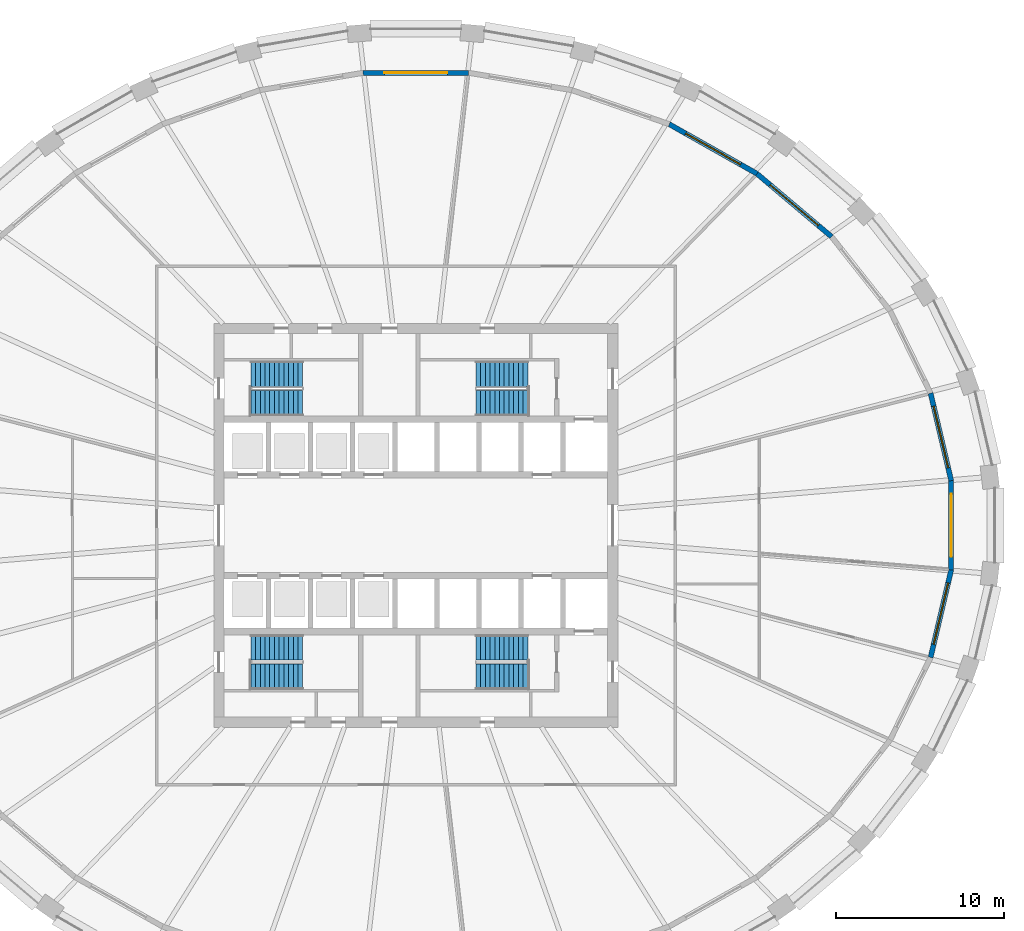
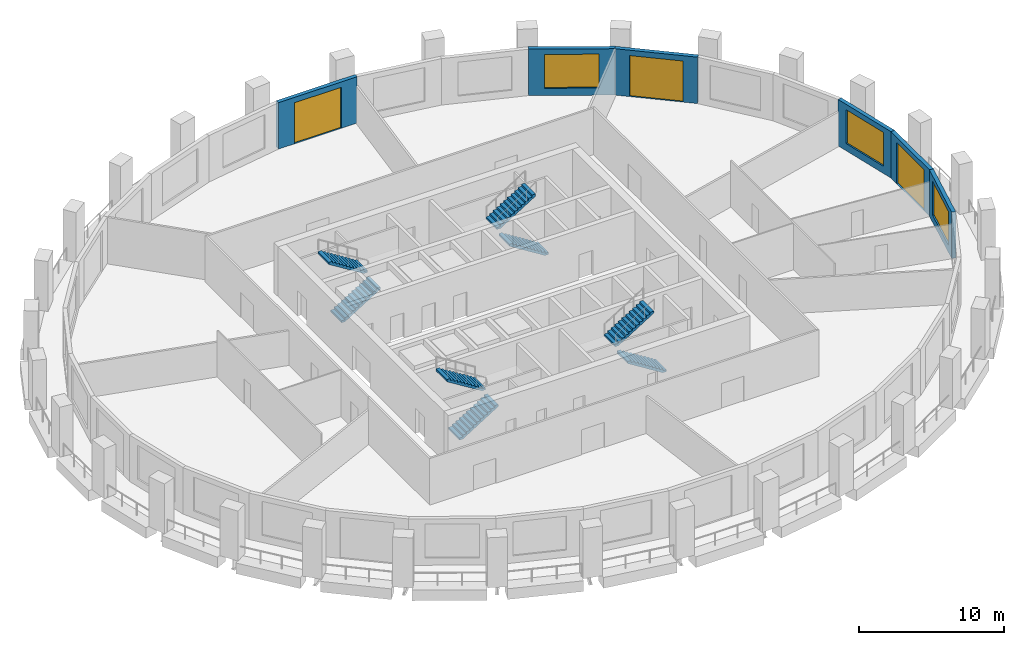
# One storey, part 7 of 10: 8 stair flights, 6 walls, 3 doors, 3 windows, 6 openings, 4 elements without a shape of their own.
"""IFC4 building model written with IfcOpenShell, lengths in metres."""

from ifc_helpers import new_model, si_unit, direction, frame, frame_2d, origin, place, context, subcontext, project, spatial, polyline, rectangle, outline, extrude, material, layer, layer_set, type_object, element, fill, aggregate, save


model = new_model("IFC4")

# Units and contexts
model_context = context("Model", 3, precision=1e-05, world=origin(), true_north=direction((0.0, 1.0)))
body_context = subcontext(model_context, "Body", "Model", "MODEL_VIEW")
ifc_project = project(units=[si_unit("LENGTHUNIT", "METRE"), si_unit("AREAUNIT", "SQUARE_METRE"), si_unit("VOLUMEUNIT", "CUBIC_METRE"), si_unit("PLANEANGLEUNIT", "RADIAN"), si_unit("MASSUNIT", "GRAM", prefix="KILO")], contexts=[model_context])

# Site, building, storey
site_placement = place(None, origin())
site = spatial("IfcSite", under=ifc_project, at=site_placement, CompositionType="ELEMENT")
building_placement = place(site_placement, origin())
building = spatial("IfcBuilding", under=site, at=building_placement, Name="Halqa Exchange Tower", CompositionType="ELEMENT")
storey_placement = place(building_placement, frame((0.0, 0.0, 138.10009765625)))
storey = spatial("IfcBuildingStorey", under=building, at=storey_placement, Name="L31", CompositionType="ELEMENT", Elevation=138.10009765625)

# Wall, opening, window
ifc_material_1 = material(Name="Limestone cladding", Category="masonry")
ifc_layer_1 = layer(ifc_material_1, 0.0400390625)
ifc_material_2 = material(Name="Ventilated cavity")
ifc_layer_2 = layer(ifc_material_2, 0.030029296875, ventilated=True)
ifc_material_3 = material(Name="Mineral wool insulation")
ifc_layer_3 = layer(ifc_material_3, 0.10009765625)
ifc_material_4 = material(Name="Concrete C30/37", Category="concrete")
ifc_layer_4 = layer(ifc_material_4, 0.10009765625)
ifc_material_5 = material(Name="Internal plaster")
ifc_layer_5 = layer(ifc_material_5, 0.030029296875)
ifc_layer_set = layer_set([ifc_layer_1, ifc_layer_2, ifc_layer_3, ifc_layer_4, ifc_layer_5], Name="Stone-faced insulated wall 300")
wall_type = type_object("IfcWallType", Name="Stone-faced insulated wall 300", PredefinedType="STANDARD", material=ifc_layer_set)
wall_1_placement = place(storey_placement, frame((31.802001953125, 2.650390625, 0.0), z_axis=(0.0, 0.0, 1.0), x_axis=(-0.229227895667, 0.973372781543, 0.0)))
wall_1 = element("IfcWall", 1, at=wall_1_placement, inside=storey, type_object=wall_type, Name="Glass-line wall 1", PredefinedType="STANDARD", context=body_context, shape_type="SweptSolid", body=[
    extrude(outline(polyline([(-0.017333984375, -0.14990234375), (5.35693359375, -0.14990234375), (5.3232421875, 0.14990234375), (0.017333984375, 0.14990234375), (-0.017333984375, -0.14990234375)])), origin(), (0.0, 0.0, 1.0), 3.89990234375),
])
opening_1_placement = place(wall_1_placement, frame((0.795166015625, 0.0, 0.60009765625)))
opening_1 = element("IfcOpeningElement", 2, at=opening_1_placement, cuts=wall_1, Name="Opening W-F2-01", PredefinedType="OPENING", context=body_context, shape_type="SweptSolid", body=[
    extrude(rectangle(XDim=3.75, YDim=2.85009765625, at=frame_2d((1.875, 1.425048828125))), frame((0.0, 0.162109375, 0.0), z_axis=(0.0, -1.0, 0.0), x_axis=(1.0, 0.0, 0.0)), (0.0, 0.0, 1.0), 0.323974609375),
])
ifc_material_6 = material(Name="Clear low-emissivity glass in aluminium frame", Category="aluminium")
window_type = type_object("IfcWindowType", Name="Fixed clear glazed window 3750 x 2850", PartitioningType="TRIPLE_PANEL_VERTICAL", PredefinedType="WINDOW", material=ifc_material_6)
window_1_placement = place(opening_1_placement, origin())
window_1 = element("IfcWindow", 3, at=window_1_placement, inside=storey, type_object=window_type, Name="Window 2", OverallHeight=2.85009765625, OverallWidth=3.75, PartitioningType="TRIPLE_PANEL_VERTICAL", PredefinedType="WINDOW", context=body_context, shape_type="SweptSolid", body=[
    extrude(rectangle(XDim=3.75, YDim=2.85009765625, at=frame_2d((1.875, 1.425048828125))), frame((0.0, 0.030029296875, 0.0), z_axis=(0.0, -1.0, 0.0), x_axis=(1.0, 0.0, 0.0)), (0.0, 0.0, 1.0), 0.06005859375),
])
fill(opening_1, window_1)

# Wall, opening, door
wall_2_placement = place(storey_placement, frame((24.694091796875, 17.145751953125, 0.0), z_axis=(0.0, 0.0, 1.0), x_axis=(-0.763963973896, 0.645258898884, 0.0)))
wall_2 = element("IfcWall", 4, at=wall_2_placement, inside=storey, type_object=wall_type, Name="Glass-line wall 4", PredefinedType="STANDARD", context=body_context, shape_type="SweptSolid", body=[
    extrude(outline(polyline([(-0.01513671875, -0.14990234375), (5.81396484375, -0.14990234375), (5.78564453125, 0.14990234375), (0.01513671875, 0.14990234375), (-0.01513671875, -0.14990234375)])), origin(), (0.0, 0.0, 1.0), 3.89990234375),
])
opening_2_placement = place(wall_2_placement, frame((1.02490234375, 0.0, 0.0)))
opening_2 = element("IfcOpeningElement", 5, at=opening_2_placement, cuts=wall_2, Name="Opening LG-F2-01", PredefinedType="OPENING", context=body_context, shape_type="SweptSolid", body=[
    extrude(rectangle(XDim=3.75, YDim=3.449951171875, at=frame_2d((1.875, 1.72509765625))), frame((0.0, 0.162109375, 0.0), z_axis=(0.0, -1.0, 0.0), x_axis=(1.0, 0.0, 0.0)), (0.0, 0.0, 1.0), 0.323974609375),
])
door_type = type_object("IfcDoorType", Name="Glazed sliding loggia door 3750 x 3450", OperationType="DOUBLE_DOOR_SLIDING", PredefinedType="DOOR", material=ifc_material_6)
door_1_placement = place(opening_2_placement, origin())
door_1 = element("IfcDoor", 6, at=door_1_placement, inside=storey, type_object=door_type, Name="Loggia door 1", OperationType="DOUBLE_DOOR_SLIDING", OverallHeight=3.449951171875, OverallWidth=3.75, PredefinedType="DOOR", context=body_context, shape_type="SweptSolid", body=[
    extrude(rectangle(XDim=3.75, YDim=3.449951171875, at=frame_2d((1.875, 1.72509765625))), frame((0.0, 0.02490234375, 0.0), z_axis=(0.0, -1.0, 0.0), x_axis=(1.0, 0.0, 0.0)), (0.0, 0.0, 1.0), 0.050048828125),
])
fill(opening_2, door_1)

# Wall, opening, window
wall_3_placement = place(storey_placement, frame((20.26318359375, 20.88818359375, 0.0), z_axis=(0.0, 0.0, 1.0), x_axis=(-0.87090857883, 0.491445060327, 0.0)))
wall_3 = element("IfcWall", 7, at=wall_3_placement, inside=storey, type_object=wall_type, Name="Glass-line wall 5", PredefinedType="STANDARD", context=body_context, shape_type="SweptSolid", body=[
    extrude(outline(polyline([(-0.01416015625, -0.14990234375), (5.99365234375, -0.14990234375), (5.966796875, 0.14990234375), (0.01416015625, 0.14990234375), (-0.01416015625, -0.14990234375)])), origin(), (0.0, 0.0, 1.0), 3.89990234375),
])
opening_3_placement = place(wall_3_placement, frame((1.114990234375, 0.0, 0.60009765625)))
opening_3 = element("IfcOpeningElement", 8, at=opening_3_placement, cuts=wall_3, Name="Opening W-F2-05", PredefinedType="OPENING", context=body_context, shape_type="SweptSolid", body=[
    extrude(rectangle(XDim=3.75, YDim=2.85009765625, at=frame_2d((1.875, 1.425048828125))), frame((0.0, 0.162109375, 0.0), z_axis=(0.0, -1.0, 0.0), x_axis=(1.0, 0.0, 0.0)), (0.0, 0.0, 1.0), 0.323974609375),
])
window_2_placement = place(opening_3_placement, origin())
window_2 = element("IfcWindow", 9, at=window_2_placement, inside=storey, type_object=window_type, Name="Window 2", OverallHeight=2.85009765625, OverallWidth=3.75, PartitioningType="TRIPLE_PANEL_VERTICAL", PredefinedType="WINDOW", context=body_context, shape_type="SweptSolid", body=[
    extrude(rectangle(XDim=3.75, YDim=2.85009765625, at=frame_2d((1.875, 1.425048828125))), frame((0.0, 0.030029296875, 0.0), z_axis=(0.0, -1.0, 0.0), x_axis=(1.0, 0.0, 0.0)), (0.0, 0.0, 1.0), 0.06005859375),
])
fill(opening_3, window_2)

# Wall, opening, door
wall_4_placement = place(storey_placement, frame((3.1298828125, 26.88232421875, 0.0), z_axis=(0.0, 0.0, 1.0), x_axis=(-1.0, 0.0, 0.0)))
wall_4 = element("IfcWall", 10, at=wall_4_placement, inside=storey, type_object=wall_type, Name="Glass-line wall 8", PredefinedType="STANDARD", context=body_context, shape_type="SweptSolid", body=[
    extrude(outline(polyline([(-0.012451171875, -0.14990234375), (6.272216796875, -0.14990234375), (6.247314453125, 0.14990234375), (0.012451171875, 0.14990234375), (-0.012451171875, -0.14990234375)])), origin(), (0.0, 0.0, 1.0), 3.89990234375),
])
opening_4_placement = place(wall_4_placement, frame((1.2548828125, 0.0, 0.0)))
opening_4 = element("IfcOpeningElement", 11, at=opening_4_placement, cuts=wall_4, Name="Opening LG-F2-02", PredefinedType="OPENING", context=body_context, shape_type="SweptSolid", body=[
    extrude(rectangle(XDim=3.75, YDim=3.449951171875, at=frame_2d((1.875, 1.72509765625))), frame((0.0, 0.162109375, 0.0), z_axis=(0.0, -1.0, 0.0), x_axis=(1.0, 0.0, 0.0)), (0.0, 0.0, 1.0), 0.323974609375),
])
door_2_placement = place(opening_4_placement, origin())
door_2 = element("IfcDoor", 12, at=door_2_placement, inside=storey, type_object=door_type, Name="Loggia door 2", OperationType="DOUBLE_DOOR_SLIDING", OverallHeight=3.449951171875, OverallWidth=3.75, PredefinedType="DOOR", context=body_context, shape_type="SweptSolid", body=[
    extrude(rectangle(XDim=3.75, YDim=3.449951171875, at=frame_2d((1.875, 1.72509765625))), frame((0.0, 0.02490234375, 0.0), z_axis=(0.0, -1.0, 0.0), x_axis=(1.0, 0.0, 0.0)), (0.0, 0.0, 1.0), 0.050048828125),
])
fill(opening_4, door_2)

# Wall, opening, window
wall_5_placement = place(storey_placement, frame((30.577880859375, -7.848388671875, 0.0), z_axis=(0.0, 0.0, 1.0), x_axis=(0.229227895667, 0.973372781543, 0.0)))
wall_5 = element("IfcWall", 13, at=wall_5_placement, inside=storey, type_object=wall_type, Name="Glass-line wall 31", PredefinedType="STANDARD", context=body_context, shape_type="SweptSolid", body=[
    extrude(outline(polyline([(-0.016845703125, -0.14990234375), (5.357421875, -0.14990234375), (5.32275390625, 0.14990234375), (0.016845703125, 0.14990234375), (-0.016845703125, -0.14990234375)])), origin(), (0.0, 0.0, 1.0), 3.89990234375),
])
opening_5_placement = place(wall_5_placement, frame((0.795166015625, 0.0, 0.60009765625)))
opening_5 = element("IfcOpeningElement", 14, at=opening_5_placement, cuts=wall_5, Name="Opening W-F2-31", PredefinedType="OPENING", context=body_context, shape_type="SweptSolid", body=[
    extrude(rectangle(XDim=3.75, YDim=2.85009765625, at=frame_2d((1.875, 1.425048828125))), frame((0.0, 0.162109375, 0.0), z_axis=(0.0, -1.0, 0.0), x_axis=(1.0, 0.0, 0.0)), (0.0, 0.0, 1.0), 0.323974609375),
])
window_3_placement = place(opening_5_placement, origin())
window_3 = element("IfcWindow", 15, at=window_3_placement, inside=storey, type_object=window_type, Name="Window 2", OverallHeight=2.85009765625, OverallWidth=3.75, PartitioningType="TRIPLE_PANEL_VERTICAL", PredefinedType="WINDOW", context=body_context, shape_type="SweptSolid", body=[
    extrude(rectangle(XDim=3.75, YDim=2.85009765625, at=frame_2d((1.875, 1.425048828125))), frame((0.0, 0.030029296875, 0.0), z_axis=(0.0, -1.0, 0.0), x_axis=(1.0, 0.0, 0.0)), (0.0, 0.0, 1.0), 0.06005859375),
])
fill(opening_5, window_3)

# Wall, opening, door
wall_6_placement = place(storey_placement, frame((31.802001953125, -2.650390625, 0.0), z_axis=(0.0, 0.0, 1.0), x_axis=(0.0, 1.0, 0.0)))
wall_6 = element("IfcWall", 16, at=wall_6_placement, inside=storey, type_object=wall_type, Name="Glass-line wall 32", PredefinedType="STANDARD", context=body_context, shape_type="SweptSolid", body=[
    extrude(outline(polyline([(-0.017333984375, -0.14990234375), (5.318115234375, -0.14990234375), (5.283447265625, 0.14990234375), (0.017333984375, 0.14990234375), (-0.017333984375, -0.14990234375)])), origin(), (0.0, 0.0, 1.0), 3.89990234375),
])
opening_6_placement = place(wall_6_placement, frame((0.775390625, 0.0, 0.0)))
opening_6 = element("IfcOpeningElement", 17, at=opening_6_placement, cuts=wall_6, Name="Opening LG-F2-08", PredefinedType="OPENING", context=body_context, shape_type="SweptSolid", body=[
    extrude(rectangle(XDim=3.75, YDim=3.449951171875, at=frame_2d((1.875, 1.72509765625))), frame((0.0, 0.162109375, 0.0), z_axis=(0.0, -1.0, 0.0), x_axis=(1.0, 0.0, 0.0)), (0.0, 0.0, 1.0), 0.323974609375),
])
door_3_placement = place(opening_6_placement, origin())
door_3 = element("IfcDoor", 18, at=door_3_placement, inside=storey, type_object=door_type, Name="Loggia door 8", OperationType="DOUBLE_DOOR_SLIDING", OverallHeight=3.449951171875, OverallWidth=3.75, PredefinedType="DOOR", context=body_context, shape_type="SweptSolid", body=[
    extrude(rectangle(XDim=3.75, YDim=3.449951171875, at=frame_2d((1.875, 1.72509765625))), frame((0.0, 0.02490234375, 0.0), z_axis=(0.0, -1.0, 0.0), x_axis=(1.0, 0.0, 0.0)), (0.0, 0.0, 1.0), 0.050048828125),
])
fill(opening_6, door_3)

# Stair, stair flights
stair_type = type_object("IfcStairType", Name="Exit stair 1500 wide", PredefinedType="HALF_TURN_STAIR", material=ifc_material_4)
stair_1_placement = place(storey_placement, origin())
stair_1 = element("IfcStair", 19, at=stair_1_placement, inside=storey, type_object=stair_type, Name="Exit stair ST1", PredefinedType="HALF_TURN_STAIR")
stair_flight_type = type_object("IfcStairFlightType", Name="Stair flight 1500 wide", PredefinedType="STRAIGHT", material=ifc_material_4)
stair_flight_1_placement = place(storey_placement, frame((-9.800048828125, 7.25, 0.0), z_axis=(0.0, 0.0, 1.0), x_axis=(1.0, 0.0, 0.0)))
stair_flight_1 = element("IfcStairFlight", 20, at=stair_flight_1_placement, type_object=stair_flight_type, Name="ST1 flight 1", NumberOfRisers=12, NumberOfTreads=11, PredefinedType="STRAIGHT", RiserHeight=0.175, TreadLength=0.28, context=body_context, shape_type="SweptSolid", body=[
    extrude(outline(polyline([(0.0, 0.0), (0.0, 0.175048828125), (0.280029296875, 0.175048828125), (0.280029296875, 0.35009765625), (0.56005859375, 0.35009765625), (0.56005859375, 0.52490234375), (0.840087890625, 0.52490234375), (0.840087890625, 0.699951171875), (1.1201171875, 0.699951171875), (1.1201171875, 0.875), (1.39990234375, 0.875), (1.39990234375, 1.050048828125), (1.679931640625, 1.050048828125), (1.679931640625, 1.22509765625), (1.9599609375, 1.22509765625), (1.9599609375, 1.39990234375), (2.239990234375, 1.39990234375), (2.239990234375, 1.574951171875), (2.52001953125, 1.574951171875), (2.52001953125, 1.75), (2.800048828125, 1.75), (2.800048828125, 1.925048828125), (3.080078125, 1.925048828125), (3.080078125, 2.10009765625), (3.080078125, 1.748291015625), (0.28271484375, 0.0), (0.0, 0.0)])), frame((0.0, 0.75, 0.0), z_axis=(0.0, -1.0, 0.0), x_axis=(1.0, 0.0, 0.0)), (0.0, 0.0, 1.0), 1.5),
])
stair_flight_2_placement = place(storey_placement, frame((-6.719970703125, 9.0, 2.099853515625), z_axis=(0.0, 0.0, 1.0), x_axis=(-1.0, 0.0, 0.0)))
stair_flight_2 = element("IfcStairFlight", 21, at=stair_flight_2_placement, type_object=stair_flight_type, Name="ST1 flight 2", NumberOfRisers=12, NumberOfTreads=11, PredefinedType="STRAIGHT", RiserHeight=0.175, TreadLength=0.28, context=body_context, shape_type="SweptSolid", body=[
    extrude(outline(polyline([(0.0, 0.0), (0.0, 0.175048828125), (0.280029296875, 0.175048828125), (0.280029296875, 0.35009765625), (0.56005859375, 0.35009765625), (0.56005859375, 0.52490234375), (0.840087890625, 0.52490234375), (0.840087890625, 0.699951171875), (1.1201171875, 0.699951171875), (1.1201171875, 0.875), (1.39990234375, 0.875), (1.39990234375, 1.050048828125), (1.679931640625, 1.050048828125), (1.679931640625, 1.22509765625), (1.9599609375, 1.22509765625), (1.9599609375, 1.39990234375), (2.239990234375, 1.39990234375), (2.239990234375, 1.574951171875), (2.52001953125, 1.574951171875), (2.52001953125, 1.75), (2.800048828125, 1.75), (2.800048828125, 1.925048828125), (3.080078125, 1.925048828125), (3.080078125, 2.10009765625), (3.080078125, 1.748291015625), (0.28271484375, 0.0), (0.0, 0.0)])), frame((0.0, 0.75, 0.0), z_axis=(0.0, -1.0, 0.0), x_axis=(1.0, 0.0, 0.0)), (0.0, 0.0, 1.0), 1.5),
])
aggregate(stair_1, [stair_flight_1, stair_flight_2])

stair_2_placement = place(storey_placement, origin())
stair_2 = element("IfcStair", 22, at=stair_2_placement, inside=storey, type_object=stair_type, Name="Exit stair ST2", PredefinedType="HALF_TURN_STAIR")
stair_flight_3_placement = place(storey_placement, frame((6.64990234375, 7.25, 0.0), z_axis=(0.0, 0.0, 1.0), x_axis=(-1.0, 0.0, 0.0)))
stair_flight_3 = element("IfcStairFlight", 23, at=stair_flight_3_placement, type_object=stair_flight_type, Name="ST2 flight 1", NumberOfRisers=12, NumberOfTreads=11, PredefinedType="STRAIGHT", RiserHeight=0.175, TreadLength=0.28, context=body_context, shape_type="SweptSolid", body=[
    extrude(outline(polyline([(0.0, 0.0), (0.0, 0.175048828125), (0.280029296875, 0.175048828125), (0.280029296875, 0.35009765625), (0.56005859375, 0.35009765625), (0.56005859375, 0.52490234375), (0.840087890625, 0.52490234375), (0.840087890625, 0.699951171875), (1.1201171875, 0.699951171875), (1.1201171875, 0.875), (1.39990234375, 0.875), (1.39990234375, 1.050048828125), (1.679931640625, 1.050048828125), (1.679931640625, 1.22509765625), (1.9599609375, 1.22509765625), (1.9599609375, 1.39990234375), (2.239990234375, 1.39990234375), (2.239990234375, 1.574951171875), (2.52001953125, 1.574951171875), (2.52001953125, 1.75), (2.800048828125, 1.75), (2.800048828125, 1.925048828125), (3.080078125, 1.925048828125), (3.080078125, 2.10009765625), (3.080078125, 1.748291015625), (0.28271484375, 0.0), (0.0, 0.0)])), frame((0.0, 0.75, 0.0), z_axis=(0.0, -1.0, 0.0), x_axis=(1.0, 0.0, 0.0)), (0.0, 0.0, 1.0), 1.5),
])
stair_flight_4_placement = place(storey_placement, frame((3.570068359375, 9.0, 2.099853515625), z_axis=(0.0, 0.0, 1.0), x_axis=(1.0, 0.0, 0.0)))
stair_flight_4 = element("IfcStairFlight", 24, at=stair_flight_4_placement, type_object=stair_flight_type, Name="ST2 flight 2", NumberOfRisers=12, NumberOfTreads=11, PredefinedType="STRAIGHT", RiserHeight=0.175, TreadLength=0.28, context=body_context, shape_type="SweptSolid", body=[
    extrude(outline(polyline([(0.0, 0.0), (0.0, 0.175048828125), (0.280029296875, 0.175048828125), (0.280029296875, 0.35009765625), (0.56005859375, 0.35009765625), (0.56005859375, 0.52490234375), (0.840087890625, 0.52490234375), (0.840087890625, 0.699951171875), (1.1201171875, 0.699951171875), (1.1201171875, 0.875), (1.39990234375, 0.875), (1.39990234375, 1.050048828125), (1.679931640625, 1.050048828125), (1.679931640625, 1.22509765625), (1.9599609375, 1.22509765625), (1.9599609375, 1.39990234375), (2.239990234375, 1.39990234375), (2.239990234375, 1.574951171875), (2.52001953125, 1.574951171875), (2.52001953125, 1.75), (2.800048828125, 1.75), (2.800048828125, 1.925048828125), (3.080078125, 1.925048828125), (3.080078125, 2.10009765625), (3.080078125, 1.748291015625), (0.28271484375, 0.0), (0.0, 0.0)])), frame((0.0, 0.75, 0.0), z_axis=(0.0, -1.0, 0.0), x_axis=(1.0, 0.0, 0.0)), (0.0, 0.0, 1.0), 1.5),
])
aggregate(stair_2, [stair_flight_3, stair_flight_4])

stair_3_placement = place(storey_placement, origin())
stair_3 = element("IfcStair", 25, at=stair_3_placement, inside=storey, type_object=stair_type, Name="Exit stair ST3", PredefinedType="HALF_TURN_STAIR")
stair_flight_5_placement = place(storey_placement, frame((-9.800048828125, -9.0, 0.0), z_axis=(0.0, 0.0, 1.0), x_axis=(1.0, 0.0, 0.0)))
stair_flight_5 = element("IfcStairFlight", 26, at=stair_flight_5_placement, type_object=stair_flight_type, Name="ST3 flight 1", NumberOfRisers=12, NumberOfTreads=11, PredefinedType="STRAIGHT", RiserHeight=0.175, TreadLength=0.28, context=body_context, shape_type="SweptSolid", body=[
    extrude(outline(polyline([(0.0, 0.0), (0.0, 0.175048828125), (0.280029296875, 0.175048828125), (0.280029296875, 0.35009765625), (0.56005859375, 0.35009765625), (0.56005859375, 0.52490234375), (0.840087890625, 0.52490234375), (0.840087890625, 0.699951171875), (1.1201171875, 0.699951171875), (1.1201171875, 0.875), (1.39990234375, 0.875), (1.39990234375, 1.050048828125), (1.679931640625, 1.050048828125), (1.679931640625, 1.22509765625), (1.9599609375, 1.22509765625), (1.9599609375, 1.39990234375), (2.239990234375, 1.39990234375), (2.239990234375, 1.574951171875), (2.52001953125, 1.574951171875), (2.52001953125, 1.75), (2.800048828125, 1.75), (2.800048828125, 1.925048828125), (3.080078125, 1.925048828125), (3.080078125, 2.10009765625), (3.080078125, 1.748291015625), (0.28271484375, 0.0), (0.0, 0.0)])), frame((0.0, 0.75, 0.0), z_axis=(0.0, -1.0, 0.0), x_axis=(1.0, 0.0, 0.0)), (0.0, 0.0, 1.0), 1.5),
])
stair_flight_6_placement = place(storey_placement, frame((-6.719970703125, -7.25, 2.099853515625), z_axis=(0.0, 0.0, 1.0), x_axis=(-1.0, 0.0, 0.0)))
stair_flight_6 = element("IfcStairFlight", 27, at=stair_flight_6_placement, type_object=stair_flight_type, Name="ST3 flight 2", NumberOfRisers=12, NumberOfTreads=11, PredefinedType="STRAIGHT", RiserHeight=0.175, TreadLength=0.28, context=body_context, shape_type="SweptSolid", body=[
    extrude(outline(polyline([(0.0, 0.0), (0.0, 0.175048828125), (0.280029296875, 0.175048828125), (0.280029296875, 0.35009765625), (0.56005859375, 0.35009765625), (0.56005859375, 0.52490234375), (0.840087890625, 0.52490234375), (0.840087890625, 0.699951171875), (1.1201171875, 0.699951171875), (1.1201171875, 0.875), (1.39990234375, 0.875), (1.39990234375, 1.050048828125), (1.679931640625, 1.050048828125), (1.679931640625, 1.22509765625), (1.9599609375, 1.22509765625), (1.9599609375, 1.39990234375), (2.239990234375, 1.39990234375), (2.239990234375, 1.574951171875), (2.52001953125, 1.574951171875), (2.52001953125, 1.75), (2.800048828125, 1.75), (2.800048828125, 1.925048828125), (3.080078125, 1.925048828125), (3.080078125, 2.10009765625), (3.080078125, 1.748291015625), (0.28271484375, 0.0), (0.0, 0.0)])), frame((0.0, 0.75, 0.0), z_axis=(0.0, -1.0, 0.0), x_axis=(1.0, 0.0, 0.0)), (0.0, 0.0, 1.0), 1.5),
])
aggregate(stair_3, [stair_flight_5, stair_flight_6])

stair_4_placement = place(storey_placement, origin())
stair_4 = element("IfcStair", 28, at=stair_4_placement, inside=storey, type_object=stair_type, Name="Exit stair ST4", PredefinedType="HALF_TURN_STAIR")
stair_flight_7_placement = place(storey_placement, frame((6.64990234375, -9.0, 0.0), z_axis=(0.0, 0.0, 1.0), x_axis=(-1.0, 0.0, 0.0)))
stair_flight_7 = element("IfcStairFlight", 29, at=stair_flight_7_placement, type_object=stair_flight_type, Name="ST4 flight 1", NumberOfRisers=12, NumberOfTreads=11, PredefinedType="STRAIGHT", RiserHeight=0.175, TreadLength=0.28, context=body_context, shape_type="SweptSolid", body=[
    extrude(outline(polyline([(0.0, 0.0), (0.0, 0.175048828125), (0.280029296875, 0.175048828125), (0.280029296875, 0.35009765625), (0.56005859375, 0.35009765625), (0.56005859375, 0.52490234375), (0.840087890625, 0.52490234375), (0.840087890625, 0.699951171875), (1.1201171875, 0.699951171875), (1.1201171875, 0.875), (1.39990234375, 0.875), (1.39990234375, 1.050048828125), (1.679931640625, 1.050048828125), (1.679931640625, 1.22509765625), (1.9599609375, 1.22509765625), (1.9599609375, 1.39990234375), (2.239990234375, 1.39990234375), (2.239990234375, 1.574951171875), (2.52001953125, 1.574951171875), (2.52001953125, 1.75), (2.800048828125, 1.75), (2.800048828125, 1.925048828125), (3.080078125, 1.925048828125), (3.080078125, 2.10009765625), (3.080078125, 1.748291015625), (0.28271484375, 0.0), (0.0, 0.0)])), frame((0.0, 0.75, 0.0), z_axis=(0.0, -1.0, 0.0), x_axis=(1.0, 0.0, 0.0)), (0.0, 0.0, 1.0), 1.5),
])
stair_flight_8_placement = place(storey_placement, frame((3.570068359375, -7.25, 2.099853515625), z_axis=(0.0, 0.0, 1.0), x_axis=(1.0, 0.0, 0.0)))
stair_flight_8 = element("IfcStairFlight", 30, at=stair_flight_8_placement, type_object=stair_flight_type, Name="ST4 flight 2", NumberOfRisers=12, NumberOfTreads=11, PredefinedType="STRAIGHT", RiserHeight=0.175, TreadLength=0.28, context=body_context, shape_type="SweptSolid", body=[
    extrude(outline(polyline([(0.0, 0.0), (0.0, 0.175048828125), (0.280029296875, 0.175048828125), (0.280029296875, 0.35009765625), (0.56005859375, 0.35009765625), (0.56005859375, 0.52490234375), (0.840087890625, 0.52490234375), (0.840087890625, 0.699951171875), (1.1201171875, 0.699951171875), (1.1201171875, 0.875), (1.39990234375, 0.875), (1.39990234375, 1.050048828125), (1.679931640625, 1.050048828125), (1.679931640625, 1.22509765625), (1.9599609375, 1.22509765625), (1.9599609375, 1.39990234375), (2.239990234375, 1.39990234375), (2.239990234375, 1.574951171875), (2.52001953125, 1.574951171875), (2.52001953125, 1.75), (2.800048828125, 1.75), (2.800048828125, 1.925048828125), (3.080078125, 1.925048828125), (3.080078125, 2.10009765625), (3.080078125, 1.748291015625), (0.28271484375, 0.0), (0.0, 0.0)])), frame((0.0, 0.75, 0.0), z_axis=(0.0, -1.0, 0.0), x_axis=(1.0, 0.0, 0.0)), (0.0, 0.0, 1.0), 1.5),
])
aggregate(stair_4, [stair_flight_7, stair_flight_8])

save(model, "model.ifc")
